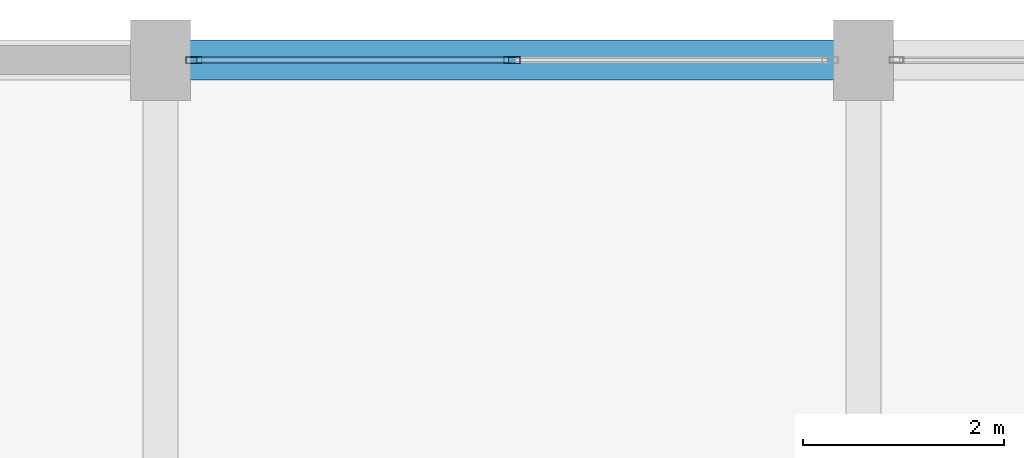
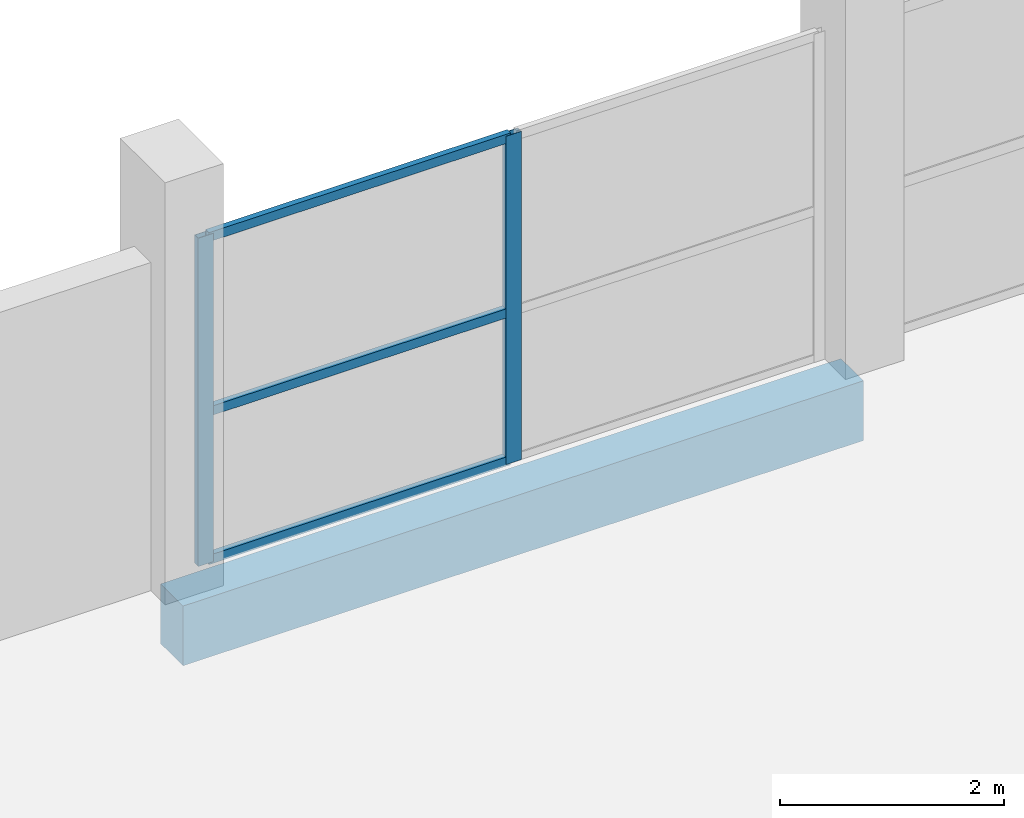
# One storey, part 26 of 49: 5 members, 1 beam, 1 element without a shape of its own.
"""IFC4 building model written with IfcOpenShell, lengths in metres."""

from ifc_helpers import new_model, si_unit, direction, frame, origin, origin_2d, place, context, subcontext, project, spatial, rectangle, hollow_rectangle, extrude, material, layer, layer_set, material_profile, profile_set, type_object, element, aggregate, save


model = new_model("IFC4")

# Units and contexts
model_context = context("Model", 3, precision=1e-05, world=origin(), true_north=direction((0.0, 1.0)))
body_context = subcontext(model_context, "Body", "Model", "MODEL_VIEW")
ifc_project = project(units=[si_unit("LENGTHUNIT", "METRE"), si_unit("AREAUNIT", "SQUARE_METRE"), si_unit("VOLUMEUNIT", "CUBIC_METRE"), si_unit("PLANEANGLEUNIT", "RADIAN"), si_unit("MASSUNIT", "GRAM", prefix="KILO")], contexts=[model_context])

# Site, building, storey
site_placement = place(None, origin())
site = spatial("IfcSite", under=ifc_project, at=site_placement, CompositionType="ELEMENT")
building_placement = place(site_placement, origin())
building = spatial("IfcBuilding", under=site, at=building_placement, Name="Sillaruma Civic Art Gallery", CompositionType="ELEMENT")
storey_placement = place(building_placement, frame((0.0, 0.0, 33.14990234375)))
storey = spatial("IfcBuildingStorey", under=building, at=storey_placement, Name="L06", CompositionType="ELEMENT", Elevation=33.14990234375)

# Beam
ifc_material_1 = material(Name="Concrete H35 (35 MPa)", Category="concrete")
ifc_material_profile_1 = material_profile(ifc_material_1, rectangle(XDim=0.39990234375, YDim=0.64990234375, at=origin_2d()), Name="RCB400x650")
ifc_profile_set_1 = profile_set([ifc_material_profile_1], Name="Concrete H35 (35 MPa)")
beam_type = type_object("IfcBeamType", Name="BM-SPANDREL-RCB400x650", PredefinedType="SPANDREL", material=ifc_profile_set_1)
beam_placement = place(storey_placement, frame((70.0, 99.0, -0.56494140625), z_axis=(1.0, 0.0, 0.0), x_axis=(0.0, 1.0, 0.0)))
element("IfcBeam", 1, at=beam_placement, inside=storey, type_object=beam_type, Name="Beam BS-02 (L05:11:G-H)", PredefinedType="SPANDREL", context=body_context, shape_type="SweptSolid", body=[
    extrude(rectangle(XDim=0.39990234375, YDim=0.64990234375, at=origin_2d()), origin(), (0.0, 0.0, 1.0), 7.0),
])

# Curtain wall, members
ifc_material_2 = material(Name="Thermally Broken Extruded Aluminium 6063-T6", Category="aluminium")
ifc_layer = layer(ifc_material_2, 0.159912109375, Name="Thermally Broken Extruded Aluminium 6063-T6")
ifc_layer_set = layer_set([ifc_layer], Name="Thermally Broken Extruded Aluminium 6063-T6")
curtain_wall_type = type_object("IfcCurtainWallType", Name="CW-UNI-37", PredefinedType="NOTDEFINED", material=ifc_layer_set)
curtain_wall_placement = place(storey_placement, origin())
curtain_wall = element("IfcCurtainWall", 2, at=curtain_wall_placement, inside=storey, type_object=curtain_wall_type, Name="Unitised Curtain Wall CW-37 (CW-L06-N-2)", PredefinedType="NOTDEFINED")
ifc_material_profile_2 = material_profile(ifc_material_2, hollow_rectangle(XDim=0.06494140625, YDim=0.159912109375, WallThickness=0.00390625, at=origin_2d()), Name="CWM65x160")
ifc_profile_set_2 = profile_set([ifc_material_profile_2], Name="Thermally Broken Extruded Aluminium 6063-T6")
member_type_1 = type_object("IfcMemberType", Name="MEM-MUL-CWM65x160", PredefinedType="MULLION", material=ifc_profile_set_2)
member_1_placement = place(storey_placement, frame((70.33251953125, 99.0, 0.0), z_axis=(0.0, 0.0, 1.0), x_axis=(0.0, 1.0, 0.0)))
member_1 = element("IfcMember", 3, at=member_1_placement, type_object=member_type_1, Name="CW-37 mullion 1", PredefinedType="MULLION", context=body_context, shape_type="SweptSolid", body=[
    extrude(hollow_rectangle(XDim=0.06494140625, YDim=0.159912109375, WallThickness=0.00390625, at=origin_2d()), origin(), (0.0, 0.0, 1.0), 3.570068359375),
])
member_2_placement = place(storey_placement, frame((73.5, 99.0, 0.0), z_axis=(0.0, 0.0, 1.0), x_axis=(0.0, 1.0, 0.0)))
member_2 = element("IfcMember", 4, at=member_2_placement, type_object=member_type_1, Name="CW-37 mullion 2", PredefinedType="MULLION", context=body_context, shape_type="SweptSolid", body=[
    extrude(hollow_rectangle(XDim=0.06494140625, YDim=0.159912109375, WallThickness=0.00390625, at=origin_2d()), origin(), (0.0, 0.0, 1.0), 3.570068359375),
])
ifc_material_profile_3 = material_profile(ifc_material_2, hollow_rectangle(XDim=0.06005859375, YDim=0.10009765625, WallThickness=0.003173828125, at=origin_2d()), Name="CWT60x100")
ifc_profile_set_3 = profile_set([ifc_material_profile_3], Name="Thermally Broken Extruded Aluminium 6063-T6")
member_type_2 = type_object("IfcMemberType", Name="MEM-TRN-CWT60x100", PredefinedType="USERDEFINED", material=ifc_profile_set_3)
member_3_placement = place(storey_placement, frame((70.364990234375, 99.0, 0.030029296875), z_axis=(1.0, 0.0, 0.0), x_axis=(0.0, 1.0, 0.0)))
member_3 = element("IfcMember", 5, at=member_3_placement, type_object=member_type_2, Name="CW-37 transom 1.1", ObjectType="TRANSOM", PredefinedType="USERDEFINED", context=body_context, shape_type="SweptSolid", body=[
    extrude(hollow_rectangle(XDim=0.06005859375, YDim=0.10009765625, WallThickness=0.003173828125, at=origin_2d()), origin(), (0.0, 0.0, 1.0), 3.1025390625),
])
member_4_placement = place(storey_placement, frame((70.364990234375, 99.0, 1.642333984375), z_axis=(1.0, 0.0, 0.0), x_axis=(0.0, 1.0, 0.0)))
member_4 = element("IfcMember", 6, at=member_4_placement, type_object=member_type_2, Name="CW-37 transom 1.2", ObjectType="TRANSOM", PredefinedType="USERDEFINED", context=body_context, shape_type="SweptSolid", body=[
    extrude(hollow_rectangle(XDim=0.06005859375, YDim=0.10009765625, WallThickness=0.003173828125, at=origin_2d()), origin(), (0.0, 0.0, 1.0), 3.1025390625),
])
member_5_placement = place(storey_placement, frame((70.364990234375, 99.0, 3.5400390625), z_axis=(1.0, 0.0, 0.0), x_axis=(0.0, 1.0, 0.0)))
member_5 = element("IfcMember", 7, at=member_5_placement, type_object=member_type_2, Name="CW-37 transom 1.3", ObjectType="TRANSOM", PredefinedType="USERDEFINED", context=body_context, shape_type="SweptSolid", body=[
    extrude(hollow_rectangle(XDim=0.06005859375, YDim=0.10009765625, WallThickness=0.003173828125, at=origin_2d()), origin(), (0.0, 0.0, 1.0), 3.1025390625),
])
aggregate(curtain_wall, [member_1, member_2, member_3, member_4, member_5])

save(model, "model.ifc")
